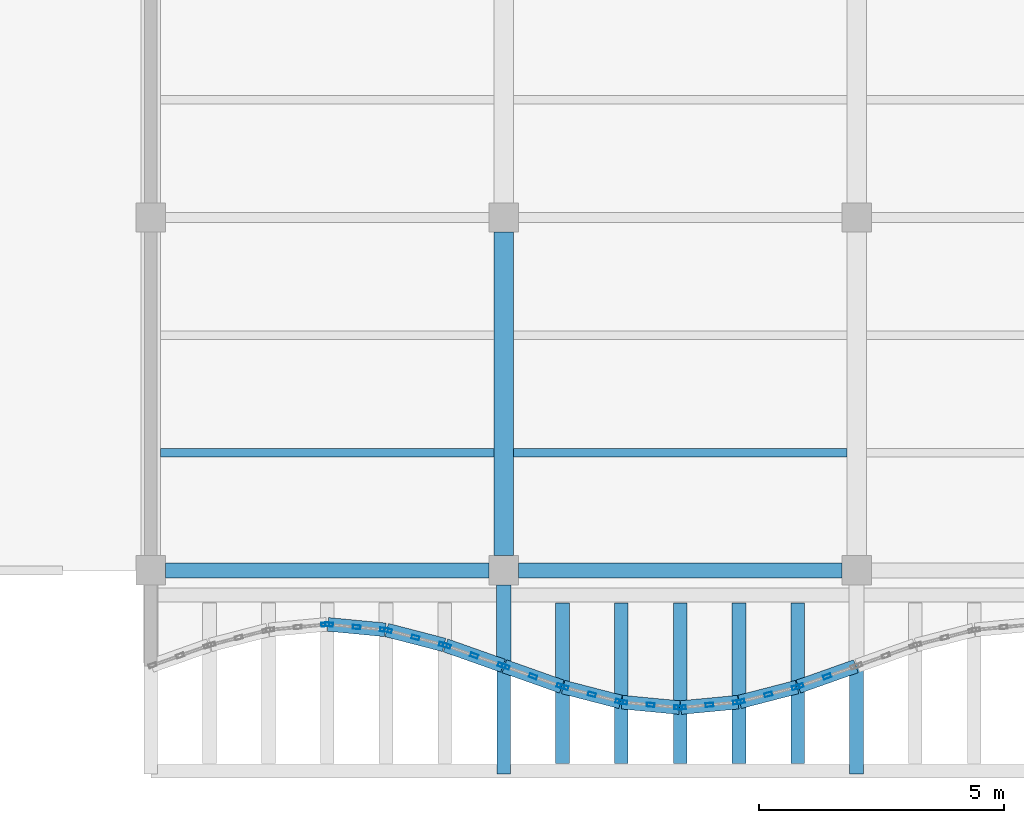
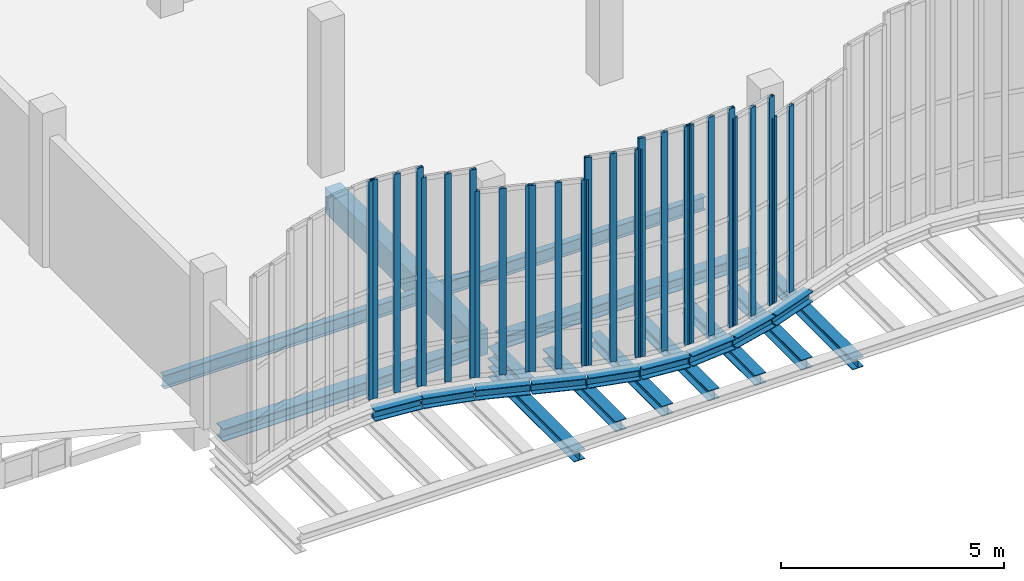
# One storey, part 8 of 76: 27 members, 22 beams, 10 elements without a shape of their own.
"""IFC4 building model written with IfcOpenShell, lengths in metres."""

from ifc_helpers import new_model, si_unit, direction, frame, origin, origin_2d, place, context, subcontext, project, spatial, rectangle, hollow_rectangle, i_section, extrude, material, layer, layer_set, material_profile, profile_set, type_object, element, aggregate, save


model = new_model("IFC4")

# Units and contexts
model_context = context("Model", 3, precision=1e-05, world=origin(), true_north=direction((0.0, 1.0)))
body_context = subcontext(model_context, "Body", "Model", "MODEL_VIEW")
ifc_project = project(units=[si_unit("LENGTHUNIT", "METRE"), si_unit("AREAUNIT", "SQUARE_METRE"), si_unit("VOLUMEUNIT", "CUBIC_METRE"), si_unit("PLANEANGLEUNIT", "RADIAN"), si_unit("MASSUNIT", "GRAM", prefix="KILO"), si_unit("THERMODYNAMICTEMPERATUREUNIT", "KELVIN"), si_unit("POWERUNIT", "WATT")], contexts=[model_context])

# Site, building, storey
site_placement = place(None, origin())
site = spatial("IfcSite", under=ifc_project, at=site_placement, CompositionType="ELEMENT")
building_placement = place(site_placement, origin())
building = spatial("IfcBuilding", under=site, at=building_placement, Name="Kaldorven Railside Theatre", CompositionType="ELEMENT")
storey_placement = place(building_placement, frame((0.0, 0.0, 14.39990234375)))
storey = spatial("IfcBuildingStorey", under=building, at=storey_placement, Name="L03", CompositionType="ELEMENT", Elevation=14.39990234375)

# Beams
ifc_material_1 = material(Name="Steel S355", Category="steel")
ifc_material_profile_1 = material_profile(ifc_material_1, i_section(OverallWidth=0.280029296875, OverallDepth=0.280029296875, WebThickness=0.010498046875, FlangeThickness=0.01806640625, at=origin_2d()), Name="HEB 280")
ifc_profile_set_1 = profile_set([ifc_material_profile_1], Name="Steel S355")
beam_type_1 = type_object("IfcBeamType", Name="BM-HEB280", PredefinedType="SPANDREL", material=ifc_profile_set_1)
for number, where, z_axis, x_axis, name in (
    (1, (44.0, 15.050048828125, -0.97998046875), (0.0, 1.0, 0.0), (-1.0, 0.0, 0.0), "L03 Sinusoidal Lower Cantilever Girder FOB-K028"),
    (2, (51.199951171875, 15.050048828125, -0.97998046875), (0.0, 1.0, 0.0), (-1.0, 0.0, 0.0), "L03 Sinusoidal Lower Cantilever Girder FOB-K029"),
):
    element("IfcBeam", number, at=place(storey_placement, frame(where, z_axis=z_axis, x_axis=x_axis)), inside=storey, type_object=beam_type_1, Name=name, PredefinedType="SPANDREL", context=body_context, shape_type="SweptSolid", body=[
        extrude(i_section(OverallWidth=0.280029296875, OverallDepth=0.280029296875, WebThickness=0.010498046875, FlangeThickness=0.01806640625, at=origin_2d()), origin(), (0.0, 0.0, 1.0), 3.849853515625),
    ])
beam_1_placement = place(storey_placement, frame((40.414794921875, 18.0986328125, -0.419921875), z_axis=(0.995526219207, -0.09448569665, 0.0), x_axis=(0.09448569665, 0.995526219207, 0.0)))
element("IfcBeam", 3, at=beam_1_placement, inside=storey, type_object=beam_type_1, Name="L03 Sinusoidal Flute Edge Spandrel FSB-148", PredefinedType="SPANDREL", context=body_context, shape_type="SweptSolid", body=[
    extrude(i_section(OverallWidth=0.280029296875, OverallDepth=0.280029296875, WebThickness=0.010498046875, FlangeThickness=0.01806640625, at=origin_2d()), origin(), (0.0, 0.0, 1.0), 1.17578125),
])
beam_2_placement = place(storey_placement, frame((41.614501953125, 17.982421875, -0.419921875), z_axis=(0.967967836725, -0.251074226206, 0.0), x_axis=(0.251074226206, 0.967967836725, 0.0)))
element("IfcBeam", 4, at=beam_2_placement, inside=storey, type_object=beam_type_1, Name="L03 Sinusoidal Flute Edge Spandrel FSB-149", PredefinedType="SPANDREL", context=body_context, shape_type="SweptSolid", body=[
    extrude(i_section(OverallWidth=0.280029296875, OverallDepth=0.280029296875, WebThickness=0.010498046875, FlangeThickness=0.01806640625, at=origin_2d()), origin(), (0.0, 0.0, 1.0), 1.209716796875),
])
for number, where, z_axis, x_axis, name in (
    (5, (42.814208984375, 17.669921875, -0.419921875), (0.942605331688, -0.333908952671, 0.0), (0.333908952671, 0.942605331688, 0.0), "L03 Sinusoidal Flute Edge Spandrel FSB-150"),
    (6, (44.01416015625, 17.2451171875, -0.419921875), (0.942605331688, -0.333908952671, 0.0), (0.333908952671, 0.942605331688, 0.0), "L03 Sinusoidal Flute Edge Spandrel FSB-151"),
):
    element("IfcBeam", number, at=place(storey_placement, frame(where, z_axis=z_axis, x_axis=x_axis)), inside=storey, type_object=beam_type_1, Name=name, PredefinedType="SPANDREL", context=body_context, shape_type="SweptSolid", body=[
        extrude(i_section(OverallWidth=0.280029296875, OverallDepth=0.280029296875, WebThickness=0.010498046875, FlangeThickness=0.01806640625, at=origin_2d()), origin(), (0.0, 0.0, 1.0), 1.242919921875),
    ])
beam_3_placement = place(storey_placement, frame((45.214599609375, 16.8212890625, -0.419921875), z_axis=(0.967967836725, -0.251074226206, 0.0), x_axis=(0.251074226206, 0.967967836725, 0.0)))
element("IfcBeam", 7, at=beam_3_placement, inside=storey, type_object=beam_type_1, Name="L03 Sinusoidal Flute Edge Spandrel FSB-152", PredefinedType="SPANDREL", context=body_context, shape_type="SweptSolid", body=[
    extrude(i_section(OverallWidth=0.280029296875, OverallDepth=0.280029296875, WebThickness=0.010498046875, FlangeThickness=0.01806640625, at=origin_2d()), origin(), (0.0, 0.0, 1.0), 1.209716796875),
])
beam_4_placement = place(storey_placement, frame((45.199951171875, 15.260009765625, -0.699951171875), z_axis=(0.0, 1.0, 0.0), x_axis=(-1.0, 0.0, 0.0)))
element("IfcBeam", 8, at=beam_4_placement, inside=storey, type_object=beam_type_1, Name="L03 Sinusoidal Diaphragm Rib Outrigger FOB-M152", PredefinedType="SPANDREL", context=body_context, shape_type="SweptSolid", body=[
    extrude(i_section(OverallWidth=0.280029296875, OverallDepth=0.280029296875, WebThickness=0.010498046875, FlangeThickness=0.01806640625, at=origin_2d()), origin(), (0.0, 0.0, 1.0), 3.280029296875),
])
beam_5_placement = place(storey_placement, frame((46.414794921875, 16.512451171875, -0.419921875), z_axis=(0.995526219207, -0.09448569665, 0.0), x_axis=(0.09448569665, 0.995526219207, 0.0)))
element("IfcBeam", 9, at=beam_5_placement, inside=storey, type_object=beam_type_1, Name="L03 Sinusoidal Flute Edge Spandrel FSB-153", PredefinedType="SPANDREL", context=body_context, shape_type="SweptSolid", body=[
    extrude(i_section(OverallWidth=0.280029296875, OverallDepth=0.280029296875, WebThickness=0.010498046875, FlangeThickness=0.01806640625, at=origin_2d()), origin(), (0.0, 0.0, 1.0), 1.17578125),
])
beam_6_placement = place(storey_placement, frame((46.39990234375, 15.260009765625, -0.699951171875), z_axis=(0.0, 1.0, 0.0), x_axis=(-1.0, 0.0, 0.0)))
element("IfcBeam", 10, at=beam_6_placement, inside=storey, type_object=beam_type_1, Name="L03 Sinusoidal Diaphragm Rib Outrigger FOB-M153", PredefinedType="SPANDREL", context=body_context, shape_type="SweptSolid", body=[
    extrude(i_section(OverallWidth=0.280029296875, OverallDepth=0.280029296875, WebThickness=0.010498046875, FlangeThickness=0.01806640625, at=origin_2d()), origin(), (0.0, 0.0, 1.0), 3.280029296875),
])
beam_7_placement = place(storey_placement, frame((47.614990234375, 16.4013671875, -0.419921875), z_axis=(0.99552436473, 0.094505233873, 0.0), x_axis=(-0.094505233873, 0.99552436473, 0.0)))
element("IfcBeam", 11, at=beam_7_placement, inside=storey, type_object=beam_type_1, Name="L03 Sinusoidal Flute Edge Spandrel FSB-154", PredefinedType="SPANDREL", context=body_context, shape_type="SweptSolid", body=[
    extrude(i_section(OverallWidth=0.280029296875, OverallDepth=0.280029296875, WebThickness=0.010498046875, FlangeThickness=0.01806640625, at=origin_2d()), origin(), (0.0, 0.0, 1.0), 1.175537109375),
])
beam_8_placement = place(storey_placement, frame((47.60009765625, 15.260009765625, -0.699951171875), z_axis=(0.0, 1.0, 0.0), x_axis=(-1.0, 0.0, 0.0)))
element("IfcBeam", 12, at=beam_8_placement, inside=storey, type_object=beam_type_1, Name="L03 Sinusoidal Diaphragm Rib Outrigger FOB-M154", PredefinedType="SPANDREL", context=body_context, shape_type="SweptSolid", body=[
    extrude(i_section(OverallWidth=0.280029296875, OverallDepth=0.280029296875, WebThickness=0.010498046875, FlangeThickness=0.01806640625, at=origin_2d()), origin(), (0.0, 0.0, 1.0), 3.280029296875),
])
beam_9_placement = place(storey_placement, frame((48.814453125, 16.517578125, -0.419921875), z_axis=(0.967980555895, 0.25102518481, 0.0), x_axis=(-0.25102518481, 0.967980555895, 0.0)))
element("IfcBeam", 13, at=beam_9_placement, inside=storey, type_object=beam_type_1, Name="L03 Sinusoidal Flute Edge Spandrel FSB-155", PredefinedType="SPANDREL", context=body_context, shape_type="SweptSolid", body=[
    extrude(i_section(OverallWidth=0.280029296875, OverallDepth=0.280029296875, WebThickness=0.010498046875, FlangeThickness=0.01806640625, at=origin_2d()), origin(), (0.0, 0.0, 1.0), 1.2099609375),
])
beam_10_placement = place(storey_placement, frame((48.800048828125, 15.260009765625, -0.699951171875), z_axis=(0.0, 1.0, 0.0), x_axis=(-1.0, 0.0, 0.0)))
element("IfcBeam", 14, at=beam_10_placement, inside=storey, type_object=beam_type_1, Name="L03 Sinusoidal Diaphragm Rib Outrigger FOB-M155", PredefinedType="SPANDREL", context=body_context, shape_type="SweptSolid", body=[
    extrude(i_section(OverallWidth=0.280029296875, OverallDepth=0.280029296875, WebThickness=0.010498046875, FlangeThickness=0.01806640625, at=origin_2d()), origin(), (0.0, 0.0, 1.0), 3.280029296875),
])
beam_11_placement = place(storey_placement, frame((50.01416015625, 16.830078125, -0.419921875), z_axis=(0.942605331688, 0.333908952671, 0.0), x_axis=(-0.333908952671, 0.942605331688, 0.0)))
element("IfcBeam", 15, at=beam_11_placement, inside=storey, type_object=beam_type_1, Name="L03 Sinusoidal Flute Edge Spandrel FSB-156", PredefinedType="SPANDREL", context=body_context, shape_type="SweptSolid", body=[
    extrude(i_section(OverallWidth=0.280029296875, OverallDepth=0.280029296875, WebThickness=0.010498046875, FlangeThickness=0.01806640625, at=origin_2d()), origin(), (0.0, 0.0, 1.0), 1.242919921875),
])
beam_12_placement = place(storey_placement, frame((50.0, 15.260009765625, -0.699951171875), z_axis=(0.0, 1.0, 0.0), x_axis=(-1.0, 0.0, 0.0)))
element("IfcBeam", 16, at=beam_12_placement, inside=storey, type_object=beam_type_1, Name="L03 Sinusoidal Diaphragm Rib Outrigger FOB-M156", PredefinedType="SPANDREL", context=body_context, shape_type="SweptSolid", body=[
    extrude(i_section(OverallWidth=0.280029296875, OverallDepth=0.280029296875, WebThickness=0.010498046875, FlangeThickness=0.01806640625, at=origin_2d()), origin(), (0.0, 0.0, 1.0), 3.280029296875),
])
ifc_material_profile_2 = material_profile(ifc_material_1, i_section(OverallWidth=0.300048828125, OverallDepth=0.340087890625, WebThickness=0.011962890625, FlangeThickness=0.021484375, at=origin_2d()), Name="HEB 340")
ifc_profile_set_2 = profile_set([ifc_material_profile_2], Name="Steel S355")
beam_type_2 = type_object("IfcBeamType", Name="BM-HEB340", PredefinedType="SPANDREL", material=ifc_profile_set_2)
for number, where, z_axis, x_axis, name in (
    (17, (37.10009765625, 19.199951171875, -0.449951171875), (1.0, 0.0, 0.0), (0.0, 1.0, 0.0), "L03 Girder BGX-L03-036-019"),
    (18, (44.300048828125, 19.199951171875, -0.449951171875), (1.0, 0.0, 0.0), (0.0, 1.0, 0.0), "L03 Girder BGX-L03-044-019"),
):
    element("IfcBeam", number, at=place(storey_placement, frame(where, z_axis=z_axis, x_axis=x_axis)), inside=storey, type_object=beam_type_2, Name=name, PredefinedType="SPANDREL", context=body_context, shape_type="SweptSolid", body=[
        extrude(i_section(OverallWidth=0.300048828125, OverallDepth=0.340087890625, WebThickness=0.011962890625, FlangeThickness=0.021484375, at=origin_2d()), origin(), (0.0, 0.0, 1.0), 6.599853515625),
    ])
beam_13_placement = place(storey_placement, frame((44.0, 17.31005859375, -0.449951171875), z_axis=(0.0, 1.0, 0.0), x_axis=(-1.0, 0.0, 0.0)))
element("IfcBeam", 19, at=beam_13_placement, inside=storey, type_object=beam_type_2, Name="L03 Sinusoidal Veil Outrigger FOB-3044", PredefinedType="SPANDREL", context=body_context, shape_type="SweptSolid", body=[
    extrude(i_section(OverallWidth=0.300048828125, OverallDepth=0.340087890625, WebThickness=0.011962890625, FlangeThickness=0.021484375, at=origin_2d()), origin(), (0.0, 0.0, 1.0), 1.58984375),
])
ifc_material_profile_3 = material_profile(ifc_material_1, i_section(OverallWidth=0.169921875, OverallDepth=0.360107421875, WebThickness=0.008056640625, FlangeThickness=0.0126953125, at=origin_2d()), Name="IPE 360")
ifc_profile_set_3 = profile_set([ifc_material_profile_3], Name="Steel S355")
beam_type_3 = type_object("IfcBeamType", Name="BM-IPE360", PredefinedType="JOIST", material=ifc_profile_set_3)
for number, where, z_axis, x_axis, name in (
    (20, (37.0, 21.60009765625, -0.4599609375), (1.0, 0.0, 0.0), (0.0, 1.0, 0.0), "L03 Secondary Floor Joist JG-L03-036-0216"),
    (21, (44.199951171875, 21.60009765625, -0.4599609375), (1.0, 0.0, 0.0), (0.0, 1.0, 0.0), "L03 Secondary Floor Joist JG-L03-044-0216"),
):
    element("IfcBeam", number, at=place(storey_placement, frame(where, z_axis=z_axis, x_axis=x_axis)), inside=storey, type_object=beam_type_3, Name=name, PredefinedType="JOIST", context=body_context, shape_type="SweptSolid", body=[
        extrude(i_section(OverallWidth=0.169921875, OverallDepth=0.360107421875, WebThickness=0.008056640625, FlangeThickness=0.0126953125, at=origin_2d()), origin(), (0.0, 0.0, 1.0), 6.800048828125),
    ])
ifc_material_2 = material(Name="Concrete C40/50", Category="concrete")
ifc_material_profile_4 = material_profile(ifc_material_2, rectangle(XDim=0.39990234375, YDim=0.699951171875, at=origin_2d()), Name="RC 400x700")
ifc_profile_set_4 = profile_set([ifc_material_profile_4], Name="Concrete C40/50")
beam_type_4 = type_object("IfcBeamType", Name="BM-RC400x700", PredefinedType="BEAM", material=ifc_profile_set_4)
beam_14_placement = place(storey_placement, frame((44.0, 19.5, -0.6298828125), z_axis=(0.0, 1.0, 0.0), x_axis=(-1.0, 0.0, 0.0)))
element("IfcBeam", 22, at=beam_14_placement, inside=storey, type_object=beam_type_4, Name="L03 Girder BGY-L03-044-019-72", PredefinedType="BEAM", context=body_context, shape_type="SweptSolid", body=[
    extrude(rectangle(XDim=0.39990234375, YDim=0.699951171875, at=origin_2d()), origin(), (0.0, 0.0, 1.0), 6.60009765625),
])

# Curtain wall, member
ifc_material_3 = material(Name="Low-E laminated solar-control glass", Category="glass")
ifc_layer_1 = layer(ifc_material_3, 0.159912109375, Name="Low-E laminated solar-control glass")
ifc_layer_set_1 = layer_set([ifc_layer_1], Name="Low-E laminated solar-control glass")
curtain_wall_type_1 = type_object("IfcCurtainWallType", Name="CWT-10", PredefinedType="USERDEFINED", material=ifc_layer_set_1)
curtain_wall_1_placement = place(storey_placement, origin())
curtain_wall_1 = element("IfcCurtainWall", 23, at=curtain_wall_1_placement, inside=storey, type_object=curtain_wall_type_1, Name="Sinusoidal Fluted Curtain Wall CW-L03-S03", ObjectType="FLUTED GLAZING", PredefinedType="USERDEFINED")
ifc_material_4 = material(Name="Anodised bronze aluminium", Category="aluminium")
ifc_material_profile_5 = material_profile(ifc_material_4, hollow_rectangle(XDim=0.080078125, YDim=0.159912109375, WallThickness=0.00634765625, at=origin_2d()), Name="RHS 160x80x6.3")
ifc_profile_set_5 = profile_set([ifc_material_profile_5], Name="Anodised bronze aluminium")
member_type = type_object("IfcMemberType", Name="CWM-160", PredefinedType="MULLION", material=ifc_profile_set_5)
member_1_placement = place(storey_placement, frame((40.360107421875, 18.09619140625, 0.0), z_axis=(0.0, 0.0, 1.0), x_axis=(-0.094491973758, 0.995525623425, 0.0)))
member_1 = element("IfcMember", 24, at=member_1_placement, type_object=member_type, Name="CW-L03-S03 mullion 3", PredefinedType="MULLION", context=body_context, shape_type="SweptSolid", body=[
    extrude(hollow_rectangle(XDim=0.080078125, YDim=0.159912109375, WallThickness=0.00634765625, at=origin_2d()), origin(), (0.0, 0.0, 1.0), 5.97998046875),
])
aggregate(curtain_wall_1, [member_1])

# Curtain wall, members
curtain_wall_2_placement = place(storey_placement, origin())
curtain_wall_2 = element("IfcCurtainWall", 25, at=curtain_wall_2_placement, inside=storey, type_object=curtain_wall_type_1, Name="Sinusoidal Fluted Curtain Wall CW-L03-S04", ObjectType="FLUTED GLAZING", PredefinedType="USERDEFINED")
member_2_placement = place(storey_placement, frame((40.43994140625, 18.09619140625, 0.0), z_axis=(0.0, 0.0, 1.0), x_axis=(0.094491973758, 0.995525623425, 0.0)))
member_2 = element("IfcMember", 26, at=member_2_placement, type_object=member_type, Name="CW-L03-S04 mullion 1", PredefinedType="MULLION", context=body_context, shape_type="SweptSolid", body=[
    extrude(hollow_rectangle(XDim=0.080078125, YDim=0.159912109375, WallThickness=0.00634765625, at=origin_2d()), origin(), (0.0, 0.0, 1.0), 5.97998046875),
])
member_3_placement = place(storey_placement, frame((41.0, 18.04296875, 0.0), z_axis=(0.0, 0.0, 1.0), x_axis=(0.094491973758, 0.995525623425, 0.0)))
member_3 = element("IfcMember", 27, at=member_3_placement, type_object=member_type, Name="CW-L03-S04 mullion 2", PredefinedType="MULLION", context=body_context, shape_type="SweptSolid", body=[
    extrude(hollow_rectangle(XDim=0.080078125, YDim=0.159912109375, WallThickness=0.00634765625, at=origin_2d()), origin(), (0.0, 0.0, 1.0), 5.97998046875),
])
member_4_placement = place(storey_placement, frame((41.56005859375, 17.989990234375, 0.0), z_axis=(0.0, 0.0, 1.0), x_axis=(0.094491973758, 0.995525623425, 0.0)))
member_4 = element("IfcMember", 28, at=member_4_placement, type_object=member_type, Name="CW-L03-S04 mullion 3", PredefinedType="MULLION", context=body_context, shape_type="SweptSolid", body=[
    extrude(hollow_rectangle(XDim=0.080078125, YDim=0.159912109375, WallThickness=0.00634765625, at=origin_2d()), origin(), (0.0, 0.0, 1.0), 5.97998046875),
])
aggregate(curtain_wall_2, [member_2, member_3, member_4])

ifc_layer_2 = layer(ifc_material_3, 0.159912109375, Name="Low-E laminated solar-control glass")
ifc_layer_set_2 = layer_set([ifc_layer_2], Name="Low-E laminated solar-control glass")
curtain_wall_type_2 = type_object("IfcCurtainWallType", Name="CWT-09", PredefinedType="USERDEFINED", material=ifc_layer_set_2)
curtain_wall_3_placement = place(storey_placement, origin())
curtain_wall_3 = element("IfcCurtainWall", 29, at=curtain_wall_3_placement, inside=storey, type_object=curtain_wall_type_2, Name="Sinusoidal Fluted Curtain Wall CW-L03-S05", ObjectType="FLUTED GLAZING", PredefinedType="USERDEFINED")
member_5_placement = place(storey_placement, frame((41.638671875, 17.97607421875, 0.0), z_axis=(0.0, 0.0, 1.0), x_axis=(0.250953760326, 0.967999075505, 0.0)))
member_5 = element("IfcMember", 30, at=member_5_placement, type_object=member_type, Name="CW-L03-S05 mullion 1", PredefinedType="MULLION", context=body_context, shape_type="SweptSolid", body=[
    extrude(hollow_rectangle(XDim=0.080078125, YDim=0.159912109375, WallThickness=0.00634765625, at=origin_2d()), origin(), (0.0, 0.0, 1.0), 5.690185546875),
])
member_6_placement = place(storey_placement, frame((42.199951171875, 17.83056640625, 0.0), z_axis=(0.0, 0.0, 1.0), x_axis=(0.250953760326, 0.967999075505, 0.0)))
member_6 = element("IfcMember", 31, at=member_6_placement, type_object=member_type, Name="CW-L03-S05 mullion 2", PredefinedType="MULLION", context=body_context, shape_type="SweptSolid", body=[
    extrude(hollow_rectangle(XDim=0.080078125, YDim=0.159912109375, WallThickness=0.00634765625, at=origin_2d()), origin(), (0.0, 0.0, 1.0), 5.690185546875),
])
member_7_placement = place(storey_placement, frame((42.76123046875, 17.68505859375, 0.0), z_axis=(0.0, 0.0, 1.0), x_axis=(0.250953760326, 0.967999075505, 0.0)))
member_7 = element("IfcMember", 32, at=member_7_placement, type_object=member_type, Name="CW-L03-S05 mullion 3", PredefinedType="MULLION", context=body_context, shape_type="SweptSolid", body=[
    extrude(hollow_rectangle(XDim=0.080078125, YDim=0.159912109375, WallThickness=0.00634765625, at=origin_2d()), origin(), (0.0, 0.0, 1.0), 5.690185546875),
])
aggregate(curtain_wall_3, [member_5, member_6, member_7])

ifc_layer_3 = layer(ifc_material_3, 0.159912109375, Name="Low-E laminated solar-control glass")
ifc_layer_set_3 = layer_set([ifc_layer_3], Name="Low-E laminated solar-control glass")
curtain_wall_type_3 = type_object("IfcCurtainWallType", Name="CWT-08", PredefinedType="USERDEFINED", material=ifc_layer_set_3)
curtain_wall_4_placement = place(storey_placement, origin())
curtain_wall_4 = element("IfcCurtainWall", 33, at=curtain_wall_4_placement, inside=storey, type_object=curtain_wall_type_3, Name="Sinusoidal Fluted Curtain Wall CW-L03-S06", ObjectType="FLUTED GLAZING", PredefinedType="USERDEFINED")
member_8_placement = place(storey_placement, frame((42.837646484375, 17.66162109375, 0.0), z_axis=(0.0, 0.0, 1.0), x_axis=(0.33384714225, 0.942627225159, 0.0)))
member_8 = element("IfcMember", 34, at=member_8_placement, type_object=member_type, Name="CW-L03-S06 mullion 1", PredefinedType="MULLION", context=body_context, shape_type="SweptSolid", body=[
    extrude(hollow_rectangle(XDim=0.080078125, YDim=0.159912109375, WallThickness=0.00634765625, at=origin_2d()), origin(), (0.0, 0.0, 1.0), 5.090087890625),
])
member_9_placement = place(storey_placement, frame((43.39990234375, 17.46240234375, 0.0), z_axis=(0.0, 0.0, 1.0), x_axis=(0.33384714225, 0.942627225159, 0.0)))
member_9 = element("IfcMember", 35, at=member_9_placement, type_object=member_type, Name="CW-L03-S06 mullion 2", PredefinedType="MULLION", context=body_context, shape_type="SweptSolid", body=[
    extrude(hollow_rectangle(XDim=0.080078125, YDim=0.159912109375, WallThickness=0.00634765625, at=origin_2d()), origin(), (0.0, 0.0, 1.0), 5.090087890625),
])
member_10_placement = place(storey_placement, frame((43.96240234375, 17.263427734375, 0.0), z_axis=(0.0, 0.0, 1.0), x_axis=(0.33384714225, 0.942627225159, 0.0)))
member_10 = element("IfcMember", 36, at=member_10_placement, type_object=member_type, Name="CW-L03-S06 mullion 3", PredefinedType="MULLION", context=body_context, shape_type="SweptSolid", body=[
    extrude(hollow_rectangle(XDim=0.080078125, YDim=0.159912109375, WallThickness=0.00634765625, at=origin_2d()), origin(), (0.0, 0.0, 1.0), 5.090087890625),
])
aggregate(curtain_wall_4, [member_8, member_9, member_10])

curtain_wall_5_placement = place(storey_placement, origin())
curtain_wall_5 = element("IfcCurtainWall", 37, at=curtain_wall_5_placement, inside=storey, type_object=curtain_wall_type_3, Name="Sinusoidal Fluted Curtain Wall CW-L03-S07", ObjectType="FLUTED GLAZING", PredefinedType="USERDEFINED")
member_11_placement = place(storey_placement, frame((44.03759765625, 17.236572265625, 0.0), z_axis=(0.0, 0.0, 1.0), x_axis=(0.33384714225, 0.942627225159, 0.0)))
member_11 = element("IfcMember", 38, at=member_11_placement, type_object=member_type, Name="CW-L03-S07 mullion 1", PredefinedType="MULLION", context=body_context, shape_type="SweptSolid", body=[
    extrude(hollow_rectangle(XDim=0.080078125, YDim=0.159912109375, WallThickness=0.00634765625, at=origin_2d()), origin(), (0.0, 0.0, 1.0), 5.090087890625),
])
member_12_placement = place(storey_placement, frame((44.60009765625, 17.03759765625, 0.0), z_axis=(0.0, 0.0, 1.0), x_axis=(0.33384714225, 0.942627225159, 0.0)))
member_12 = element("IfcMember", 39, at=member_12_placement, type_object=member_type, Name="CW-L03-S07 mullion 2", PredefinedType="MULLION", context=body_context, shape_type="SweptSolid", body=[
    extrude(hollow_rectangle(XDim=0.080078125, YDim=0.159912109375, WallThickness=0.00634765625, at=origin_2d()), origin(), (0.0, 0.0, 1.0), 5.090087890625),
])
member_13_placement = place(storey_placement, frame((45.162353515625, 16.83837890625, 0.0), z_axis=(0.0, 0.0, 1.0), x_axis=(0.33384714225, 0.942627225159, 0.0)))
member_13 = element("IfcMember", 40, at=member_13_placement, type_object=member_type, Name="CW-L03-S07 mullion 3", PredefinedType="MULLION", context=body_context, shape_type="SweptSolid", body=[
    extrude(hollow_rectangle(XDim=0.080078125, YDim=0.159912109375, WallThickness=0.00634765625, at=origin_2d()), origin(), (0.0, 0.0, 1.0), 5.090087890625),
])
aggregate(curtain_wall_5, [member_11, member_12, member_13])

curtain_wall_6_placement = place(storey_placement, origin())
curtain_wall_6 = element("IfcCurtainWall", 41, at=curtain_wall_6_placement, inside=storey, type_object=curtain_wall_type_2, Name="Sinusoidal Fluted Curtain Wall CW-L03-S08", ObjectType="FLUTED GLAZING", PredefinedType="USERDEFINED")
member_14_placement = place(storey_placement, frame((45.23876953125, 16.81494140625, 0.0), z_axis=(0.0, 0.0, 1.0), x_axis=(0.250953760326, 0.967999075505, 0.0)))
member_14 = element("IfcMember", 42, at=member_14_placement, type_object=member_type, Name="CW-L03-S08 mullion 1", PredefinedType="MULLION", context=body_context, shape_type="SweptSolid", body=[
    extrude(hollow_rectangle(XDim=0.080078125, YDim=0.159912109375, WallThickness=0.00634765625, at=origin_2d()), origin(), (0.0, 0.0, 1.0), 5.690185546875),
])
member_15_placement = place(storey_placement, frame((45.800048828125, 16.66943359375, 0.0), z_axis=(0.0, 0.0, 1.0), x_axis=(0.250953760326, 0.967999075505, 0.0)))
member_15 = element("IfcMember", 43, at=member_15_placement, type_object=member_type, Name="CW-L03-S08 mullion 2", PredefinedType="MULLION", context=body_context, shape_type="SweptSolid", body=[
    extrude(hollow_rectangle(XDim=0.080078125, YDim=0.159912109375, WallThickness=0.00634765625, at=origin_2d()), origin(), (0.0, 0.0, 1.0), 5.690185546875),
])
member_16_placement = place(storey_placement, frame((46.361328125, 16.52392578125, 0.0), z_axis=(0.0, 0.0, 1.0), x_axis=(0.250953760326, 0.967999075505, 0.0)))
member_16 = element("IfcMember", 44, at=member_16_placement, type_object=member_type, Name="CW-L03-S08 mullion 3", PredefinedType="MULLION", context=body_context, shape_type="SweptSolid", body=[
    extrude(hollow_rectangle(XDim=0.080078125, YDim=0.159912109375, WallThickness=0.00634765625, at=origin_2d()), origin(), (0.0, 0.0, 1.0), 5.690185546875),
])
aggregate(curtain_wall_6, [member_14, member_15, member_16])

curtain_wall_7_placement = place(storey_placement, origin())
curtain_wall_7 = element("IfcCurtainWall", 45, at=curtain_wall_7_placement, inside=storey, type_object=curtain_wall_type_1, Name="Sinusoidal Fluted Curtain Wall CW-L03-S09", ObjectType="FLUTED GLAZING", PredefinedType="USERDEFINED")
member_17_placement = place(storey_placement, frame((46.43994140625, 16.510009765625, 0.0), z_axis=(0.0, 0.0, 1.0), x_axis=(0.094491973758, 0.995525623425, 0.0)))
member_17 = element("IfcMember", 46, at=member_17_placement, type_object=member_type, Name="CW-L03-S09 mullion 1", PredefinedType="MULLION", context=body_context, shape_type="SweptSolid", body=[
    extrude(hollow_rectangle(XDim=0.080078125, YDim=0.159912109375, WallThickness=0.00634765625, at=origin_2d()), origin(), (0.0, 0.0, 1.0), 5.97998046875),
])
member_18_placement = place(storey_placement, frame((47.0, 16.45703125, 0.0), z_axis=(0.0, 0.0, 1.0), x_axis=(0.094491973758, 0.995525623425, 0.0)))
member_18 = element("IfcMember", 47, at=member_18_placement, type_object=member_type, Name="CW-L03-S09 mullion 2", PredefinedType="MULLION", context=body_context, shape_type="SweptSolid", body=[
    extrude(hollow_rectangle(XDim=0.080078125, YDim=0.159912109375, WallThickness=0.00634765625, at=origin_2d()), origin(), (0.0, 0.0, 1.0), 5.97998046875),
])
member_19_placement = place(storey_placement, frame((47.56005859375, 16.40380859375, 0.0), z_axis=(0.0, 0.0, 1.0), x_axis=(0.094491973758, 0.995525623425, 0.0)))
member_19 = element("IfcMember", 48, at=member_19_placement, type_object=member_type, Name="CW-L03-S09 mullion 3", PredefinedType="MULLION", context=body_context, shape_type="SweptSolid", body=[
    extrude(hollow_rectangle(XDim=0.080078125, YDim=0.159912109375, WallThickness=0.00634765625, at=origin_2d()), origin(), (0.0, 0.0, 1.0), 5.97998046875),
])
aggregate(curtain_wall_7, [member_17, member_18, member_19])

curtain_wall_8_placement = place(storey_placement, origin())
curtain_wall_8 = element("IfcCurtainWall", 49, at=curtain_wall_8_placement, inside=storey, type_object=curtain_wall_type_1, Name="Sinusoidal Fluted Curtain Wall CW-L03-S10", ObjectType="FLUTED GLAZING", PredefinedType="USERDEFINED")
member_20_placement = place(storey_placement, frame((47.639892578125, 16.40380859375, 0.0), z_axis=(0.0, 0.0, 1.0), x_axis=(-0.094491973758, 0.995525623425, 0.0)))
member_20 = element("IfcMember", 50, at=member_20_placement, type_object=member_type, Name="CW-L03-S10 mullion 1", PredefinedType="MULLION", context=body_context, shape_type="SweptSolid", body=[
    extrude(hollow_rectangle(XDim=0.080078125, YDim=0.159912109375, WallThickness=0.00634765625, at=origin_2d()), origin(), (0.0, 0.0, 1.0), 5.97998046875),
])
member_21_placement = place(storey_placement, frame((48.199951171875, 16.45703125, 0.0), z_axis=(0.0, 0.0, 1.0), x_axis=(-0.094491973758, 0.995525623425, 0.0)))
member_21 = element("IfcMember", 51, at=member_21_placement, type_object=member_type, Name="CW-L03-S10 mullion 2", PredefinedType="MULLION", context=body_context, shape_type="SweptSolid", body=[
    extrude(hollow_rectangle(XDim=0.080078125, YDim=0.159912109375, WallThickness=0.00634765625, at=origin_2d()), origin(), (0.0, 0.0, 1.0), 5.97998046875),
])
member_22_placement = place(storey_placement, frame((48.76025390625, 16.510009765625, 0.0), z_axis=(0.0, 0.0, 1.0), x_axis=(-0.094491973758, 0.995525623425, 0.0)))
member_22 = element("IfcMember", 52, at=member_22_placement, type_object=member_type, Name="CW-L03-S10 mullion 3", PredefinedType="MULLION", context=body_context, shape_type="SweptSolid", body=[
    extrude(hollow_rectangle(XDim=0.080078125, YDim=0.159912109375, WallThickness=0.00634765625, at=origin_2d()), origin(), (0.0, 0.0, 1.0), 5.97998046875),
])
aggregate(curtain_wall_8, [member_20, member_21, member_22])

curtain_wall_9_placement = place(storey_placement, origin())
curtain_wall_9 = element("IfcCurtainWall", 53, at=curtain_wall_9_placement, inside=storey, type_object=curtain_wall_type_2, Name="Sinusoidal Fluted Curtain Wall CW-L03-S11", ObjectType="FLUTED GLAZING", PredefinedType="USERDEFINED")
member_23_placement = place(storey_placement, frame((48.838623046875, 16.52392578125, 0.0), z_axis=(0.0, 0.0, 1.0), x_axis=(-0.250953760326, 0.967999075505, 0.0)))
member_23 = element("IfcMember", 54, at=member_23_placement, type_object=member_type, Name="CW-L03-S11 mullion 1", PredefinedType="MULLION", context=body_context, shape_type="SweptSolid", body=[
    extrude(hollow_rectangle(XDim=0.080078125, YDim=0.159912109375, WallThickness=0.00634765625, at=origin_2d()), origin(), (0.0, 0.0, 1.0), 5.690185546875),
])
member_24_placement = place(storey_placement, frame((49.39990234375, 16.66943359375, 0.0), z_axis=(0.0, 0.0, 1.0), x_axis=(-0.250953760326, 0.967999075505, 0.0)))
member_24 = element("IfcMember", 55, at=member_24_placement, type_object=member_type, Name="CW-L03-S11 mullion 2", PredefinedType="MULLION", context=body_context, shape_type="SweptSolid", body=[
    extrude(hollow_rectangle(XDim=0.080078125, YDim=0.159912109375, WallThickness=0.00634765625, at=origin_2d()), origin(), (0.0, 0.0, 1.0), 5.690185546875),
])
member_25_placement = place(storey_placement, frame((49.961181640625, 16.81494140625, 0.0), z_axis=(0.0, 0.0, 1.0), x_axis=(-0.250953760326, 0.967999075505, 0.0)))
member_25 = element("IfcMember", 56, at=member_25_placement, type_object=member_type, Name="CW-L03-S11 mullion 3", PredefinedType="MULLION", context=body_context, shape_type="SweptSolid", body=[
    extrude(hollow_rectangle(XDim=0.080078125, YDim=0.159912109375, WallThickness=0.00634765625, at=origin_2d()), origin(), (0.0, 0.0, 1.0), 5.690185546875),
])
aggregate(curtain_wall_9, [member_23, member_24, member_25])

curtain_wall_10_placement = place(storey_placement, origin())
curtain_wall_10 = element("IfcCurtainWall", 57, at=curtain_wall_10_placement, inside=storey, type_object=curtain_wall_type_3, Name="Sinusoidal Fluted Curtain Wall CW-L03-S12", ObjectType="FLUTED GLAZING", PredefinedType="USERDEFINED")
member_26_placement = place(storey_placement, frame((50.03759765625, 16.83837890625, 0.0), z_axis=(0.0, 0.0, 1.0), x_axis=(-0.33384714225, 0.942627225159, 0.0)))
member_26 = element("IfcMember", 58, at=member_26_placement, type_object=member_type, Name="CW-L03-S12 mullion 1", PredefinedType="MULLION", context=body_context, shape_type="SweptSolid", body=[
    extrude(hollow_rectangle(XDim=0.080078125, YDim=0.159912109375, WallThickness=0.00634765625, at=origin_2d()), origin(), (0.0, 0.0, 1.0), 5.090087890625),
])
member_27_placement = place(storey_placement, frame((50.60009765625, 17.03759765625, 0.0), z_axis=(0.0, 0.0, 1.0), x_axis=(-0.33384714225, 0.942627225159, 0.0)))
member_27 = element("IfcMember", 59, at=member_27_placement, type_object=member_type, Name="CW-L03-S12 mullion 2", PredefinedType="MULLION", context=body_context, shape_type="SweptSolid", body=[
    extrude(hollow_rectangle(XDim=0.080078125, YDim=0.159912109375, WallThickness=0.00634765625, at=origin_2d()), origin(), (0.0, 0.0, 1.0), 5.090087890625),
])
aggregate(curtain_wall_10, [member_26, member_27])

save(model, "model.ifc")
